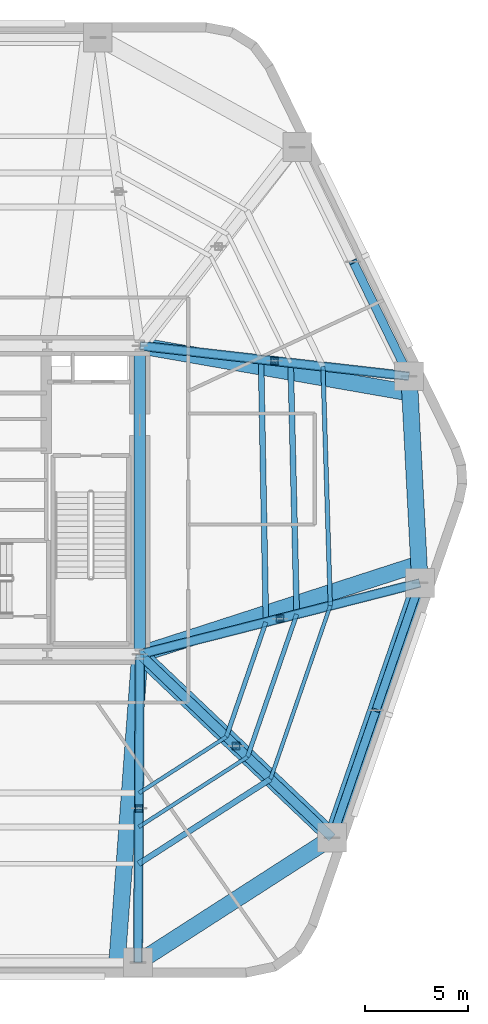
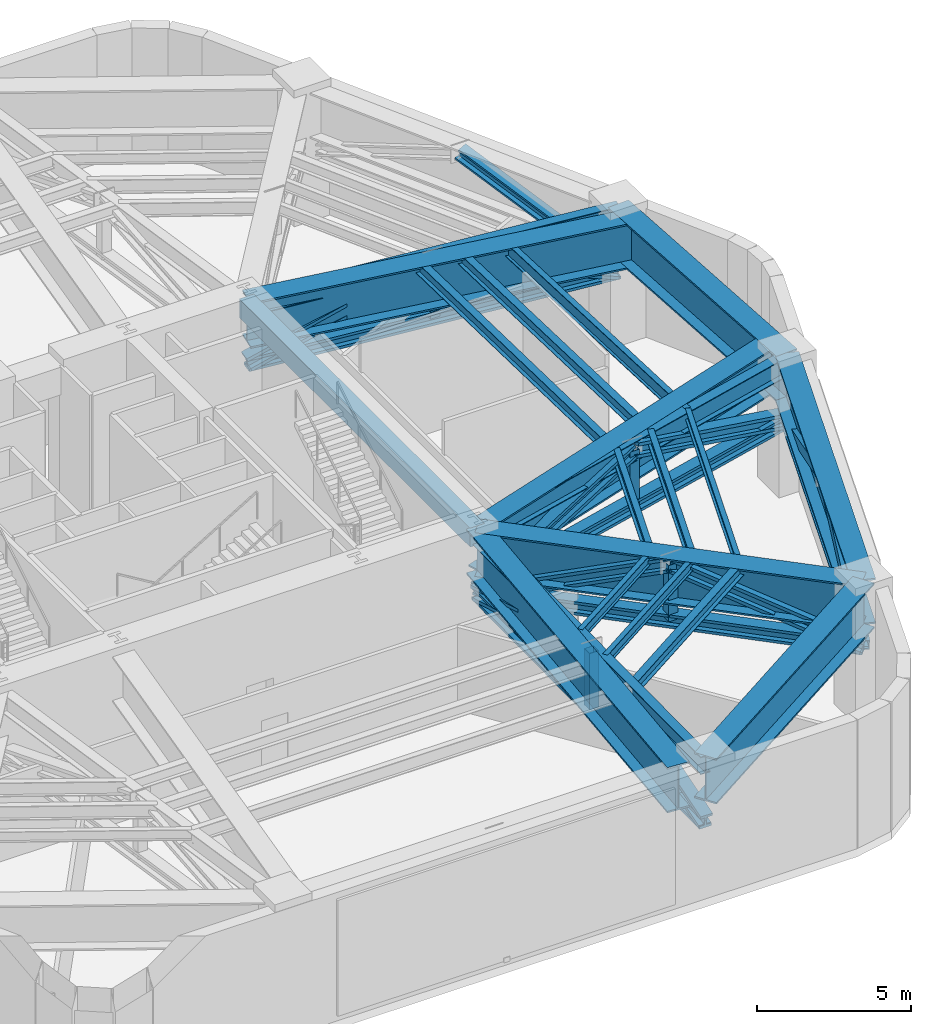
# One storey, part 3 of 11: 20 beams, 20 members.
"""IFC4 building model written with IfcOpenShell, lengths in metres."""

from ifc_helpers import new_model, si_unit, direction, frame, origin, origin_2d, place, context, subcontext, project, spatial, rectangle, hollow_rectangle, i_section, extrude, material, material_profile, profile_set, type_object, element, save


model = new_model("IFC4")

# Units and contexts
model_context = context("Model", 3, precision=1e-05, world=origin(), true_north=direction((0.0, 1.0)))
body_context = subcontext(model_context, "Body", "Model", "MODEL_VIEW")
ifc_project = project(units=[si_unit("LENGTHUNIT", "METRE"), si_unit("AREAUNIT", "SQUARE_METRE"), si_unit("VOLUMEUNIT", "CUBIC_METRE"), si_unit("PLANEANGLEUNIT", "RADIAN"), si_unit("MASSUNIT", "GRAM", prefix="KILO")], contexts=[model_context])

# Site, building, storey
site_placement = place(None, origin())
site = spatial("IfcSite", under=ifc_project, at=site_placement, CompositionType="ELEMENT")
building_placement = place(site_placement, origin())
building = spatial("IfcBuilding", under=site, at=building_placement, Name="Kilnhurst Terrace Hotel", CompositionType="ELEMENT")
storey_placement = place(building_placement, frame((0.0, 0.0, 86.0)))
storey = spatial("IfcBuildingStorey", under=building, at=storey_placement, Name="L20", CompositionType="ELEMENT", Elevation=86.0)

# Beams
ifc_material_1 = material(Name="Concrete C50/60", Category="concrete")
ifc_material_profile_1 = material_profile(ifc_material_1, rectangle(XDim=0.550048828125, YDim=0.75, at=origin_2d()), Name="RC550X750")
ifc_profile_set_1 = profile_set([ifc_material_profile_1], Name="Concrete C50/60")
beam_type_1 = type_object("IfcBeamType", Name="BM-SPN-550X750", PredefinedType="SPANDREL", material=ifc_profile_set_1)
beam_1_placement = place(storey_placement, frame((9.0, -7.5, 4.72509765625), z_axis=(0.0, 1.0, 0.0), x_axis=(-1.0, 0.0, 0.0)))
element("IfcBeam", 1, at=beam_1_placement, inside=storey, type_object=beam_type_1, Name="L20 Core Tie Beam CC-SE to CC-NE", PredefinedType="SPANDREL", context=body_context, shape_type="SweptSolid", body=[
    extrude(rectangle(XDim=0.550048828125, YDim=0.75, at=origin_2d()), origin(), (0.0, 0.0, 1.0), 15.0),
])
ifc_material_2 = material(Name="Steel ASTM A992 Grade 50", Category="steel")
ifc_material_profile_2 = material_profile(ifc_material_2, i_section(OverallWidth=0.354736328125, OverallDepth=0.695556640625, WebThickness=0.015380859375, FlangeThickness=0.025146484375, at=origin_2d()), Name="W27X146")
ifc_profile_set_2 = profile_set([ifc_material_profile_2], Name="Steel ASTM A992 Grade 50")
beam_type_2 = type_object("IfcBeamType", Name="BM-STL-W27X146", PredefinedType="BEAM", material=ifc_profile_set_2)
beam_2_placement = place(storey_placement, frame((9.0, -7.5, 4.751953125), z_axis=(-0.006339714179, -0.99997990381, 0.0), x_axis=(0.99997990381, -0.006339714179, 0.0)))
element("IfcBeam", 2, at=beam_2_placement, inside=storey, type_object=beam_type_2, Name="L20 Radial Floor Beam 2", PredefinedType="BEAM", context=body_context, shape_type="SweptSolid", body=[
    extrude(i_section(OverallWidth=0.354736328125, OverallDepth=0.695556640625, WebThickness=0.015380859375, FlangeThickness=0.025146484375, at=origin_2d()), origin(), (0.0, 0.0, 1.0), 14.980224609375),
])
beam_3_placement = place(storey_placement, frame((9.0, 7.5, 4.751953125), z_axis=(0.993611493249, -0.112854776075, 0.0), x_axis=(0.112854776075, 0.993611493249, 0.0)))
element("IfcBeam", 3, at=beam_3_placement, inside=storey, type_object=beam_type_2, Name="L20 Radial Floor Beam 5", PredefinedType="BEAM", context=body_context, shape_type="SweptSolid", body=[
    extrude(i_section(OverallWidth=0.354736328125, OverallDepth=0.695556640625, WebThickness=0.015380859375, FlangeThickness=0.025146484375, at=origin_2d()), origin(), (0.0, 0.0, 1.0), 13.168212890625),
])
ifc_material_profile_3 = material_profile(ifc_material_2, i_section(OverallWidth=0.380615234375, OverallDepth=0.773193359375, WebThickness=0.0166015625, FlangeThickness=0.027099609375, at=origin_2d()), Name="W30X173")
ifc_profile_set_3 = profile_set([ifc_material_profile_3], Name="Steel ASTM A992 Grade 50")
beam_type_3 = type_object("IfcBeamType", Name="BM-STL-W30X173", PredefinedType="BEAM", material=ifc_profile_set_3)
beam_4_placement = place(storey_placement, frame((9.0, -7.5, 4.712890625), z_axis=(0.968980179812, 0.247138445273, 0.0), x_axis=(-0.247138445273, 0.968980179812, 0.0)))
element("IfcBeam", 4, at=beam_4_placement, inside=storey, type_object=beam_type_3, Name="L20 Radial Floor Beam 4", PredefinedType="BEAM", context=body_context, shape_type="SweptSolid", body=[
    extrude(i_section(OverallWidth=0.380615234375, OverallDepth=0.773193359375, WebThickness=0.0166015625, FlangeThickness=0.027099609375, at=origin_2d()), origin(), (0.0, 0.0, 1.0), 14.04443359375),
])
ifc_material_profile_4 = material_profile(ifc_material_2, i_section(OverallWidth=0.180908203125, OverallDepth=0.417236328125, WebThickness=0.010986328125, FlangeThickness=0.018310546875, at=origin_2d()), Name="W16X57")
ifc_profile_set_4 = profile_set([ifc_material_profile_4], Name="Steel ASTM A992 Grade 50")
beam_type_4 = type_object("IfcBeamType", Name="JST-STL-W16X57", PredefinedType="JOIST", material=ifc_profile_set_4)
beam_5_placement = place(storey_placement, frame((15.349853515625, -13.5595703125, 4.89111328125), z_axis=(0.326078536201, 0.945342682961, 0.0), x_axis=(-0.945342682961, 0.326078536201, 0.0)))
element("IfcBeam", 5, at=beam_5_placement, inside=storey, type_object=beam_type_4, Name="L20 Secondary Floor Steel Joist OUT.3", PredefinedType="JOIST", context=body_context, shape_type="SweptSolid", body=[
    extrude(i_section(OverallWidth=0.180908203125, OverallDepth=0.417236328125, WebThickness=0.010986328125, FlangeThickness=0.018310546875, at=origin_2d()), origin(), (0.0, 0.0, 1.0), 8.90673828125),
])
beam_6_placement = place(storey_placement, frame((8.957275390625, -14.240966796875, 4.89111328125), z_axis=(0.840988265896, 0.541053358389, 0.0), x_axis=(-0.541053358389, 0.840988265896, 0.0)))
element("IfcBeam", 6, at=beam_6_placement, inside=storey, type_object=beam_type_4, Name="L20 Secondary Floor Steel Joist IN.2", PredefinedType="JOIST", context=body_context, shape_type="SweptSolid", body=[
    extrude(i_section(OverallWidth=0.180908203125, OverallDepth=0.417236328125, WebThickness=0.010986328125, FlangeThickness=0.018310546875, at=origin_2d()), origin(), (0.0, 0.0, 1.0), 5.04736328125),
])
beam_7_placement = place(storey_placement, frame((8.94677734375, -15.888916015625, 4.89111328125), z_axis=(0.840975098445, 0.541073824719, 0.0), x_axis=(-0.541073824719, 0.840975098445, 0.0)))
element("IfcBeam", 7, at=beam_7_placement, inside=storey, type_object=beam_type_4, Name="L20 Secondary Floor Steel Joist MID.2", PredefinedType="JOIST", context=body_context, shape_type="SweptSolid", body=[
    extrude(i_section(OverallWidth=0.180908203125, OverallDepth=0.417236328125, WebThickness=0.010986328125, FlangeThickness=0.018310546875, at=origin_2d()), origin(), (0.0, 0.0, 1.0), 6.28125),
])
ifc_material_profile_5 = material_profile(ifc_material_2, i_section(OverallWidth=0.279296875, OverallDepth=0.462890625, WebThickness=0.0107421875, FlangeThickness=0.017333984375, at=origin_2d()), Name="W18X76")
ifc_profile_set_5 = profile_set([ifc_material_profile_5], Name="Steel ASTM A992 Grade 50")
beam_type_5 = type_object("IfcBeamType", Name="JST-STL-W18X76", PredefinedType="JOIST", material=ifc_profile_set_5)
beam_8_placement = place(storey_placement, frame((8.935302734375, -17.686279296875, 4.867919921875), z_axis=(0.840995388529, 0.54104228714, 0.0), x_axis=(-0.54104228714, 0.840995388529, 0.0)))
element("IfcBeam", 8, at=beam_8_placement, inside=storey, type_object=beam_type_5, Name="L20 Secondary Floor Steel Joist OUT.2", PredefinedType="JOIST", context=body_context, shape_type="SweptSolid", body=[
    extrude(i_section(OverallWidth=0.279296875, OverallDepth=0.462890625, WebThickness=0.0107421875, FlangeThickness=0.017333984375, at=origin_2d()), origin(), (0.0, 0.0, 1.0), 7.62744140625),
])
beam_9_placement = place(storey_placement, frame((15.1240234375, -5.93798828125, 4.867919921875), z_axis=(-0.018504373716, 0.999828779418, 0.0), x_axis=(-0.999828779418, -0.018504373716, 0.0)))
element("IfcBeam", 9, at=beam_9_placement, inside=storey, type_object=beam_type_5, Name="L20 Secondary Floor Steel Joist IN.4", PredefinedType="JOIST", context=body_context, shape_type="SweptSolid", body=[
    extrude(i_section(OverallWidth=0.279296875, OverallDepth=0.462890625, WebThickness=0.0107421875, FlangeThickness=0.017333984375, at=origin_2d()), origin(), (0.0, 0.0, 1.0), 12.771484375),
])
beam_10_placement = place(storey_placement, frame((16.62109375, -5.55615234375, 4.867919921875), z_axis=(-0.024059820994, 0.999710520608, 0.0), x_axis=(-0.999710520608, -0.024059820994, 0.0)))
element("IfcBeam", 10, at=beam_10_placement, inside=storey, type_object=beam_type_5, Name="L20 Secondary Floor Steel Joist MID.4", PredefinedType="JOIST", context=body_context, shape_type="SweptSolid", body=[
    extrude(i_section(OverallWidth=0.279296875, OverallDepth=0.462890625, WebThickness=0.0107421875, FlangeThickness=0.017333984375, at=origin_2d()), origin(), (0.0, 0.0, 1.0), 12.227294921875),
])
ifc_material_profile_6 = material_profile(ifc_material_2, i_section(OverallWidth=0.2138671875, OverallDepth=0.549072265625, WebThickness=0.0146484375, FlangeThickness=0.023681640625, at=origin_2d()), Name="W21X93")
ifc_profile_set_6 = profile_set([ifc_material_profile_6], Name="Steel ASTM A992 Grade 50")
beam_type_6 = type_object("IfcBeamType", Name="JST-STL-W21X93", PredefinedType="JOIST", material=ifc_profile_set_6)
beam_11_placement = place(storey_placement, frame((18.254150390625, -5.1396484375, 4.824951171875), z_axis=(-0.030678559818, 0.999529302206, 0.0), x_axis=(-0.999529302206, -0.030678559818, 0.0)))
element("IfcBeam", 11, at=beam_11_placement, inside=storey, type_object=beam_type_6, Name="L20 Secondary Floor Steel Joist OUT.4", PredefinedType="JOIST", context=body_context, shape_type="SweptSolid", body=[
    extrude(i_section(OverallWidth=0.2138671875, OverallDepth=0.549072265625, WebThickness=0.0146484375, FlangeThickness=0.023681640625, at=origin_2d()), origin(), (0.0, 0.0, 1.0), 11.634521484375),
])
beam_12_placement = place(storey_placement, frame((13.2021484375, -11.510009765625, 4.824951171875), z_axis=(0.326064720391, 0.945347448358, 0.0), x_axis=(-0.945347448358, 0.326064720391, 0.0)))
element("IfcBeam", 12, at=beam_12_placement, inside=storey, type_object=beam_type_6, Name="L20 Secondary Floor Steel Joist IN.3", PredefinedType="JOIST", context=body_context, shape_type="SweptSolid", body=[
    extrude(i_section(OverallWidth=0.2138671875, OverallDepth=0.549072265625, WebThickness=0.0146484375, FlangeThickness=0.023681640625, at=origin_2d()), origin(), (0.0, 0.0, 1.0), 5.89404296875),
])
beam_13_placement = place(storey_placement, frame((14.229248046875, -12.490234375, 4.824951171875), z_axis=(0.326086077727, 0.945340081617, 0.0), x_axis=(-0.945340081617, 0.326086077727, 0.0)))
element("IfcBeam", 13, at=beam_13_placement, inside=storey, type_object=beam_type_6, Name="L20 Secondary Floor Steel Joist MID.3", PredefinedType="JOIST", context=body_context, shape_type="SweptSolid", body=[
    extrude(i_section(OverallWidth=0.2138671875, OverallDepth=0.549072265625, WebThickness=0.0146484375, FlangeThickness=0.023681640625, at=origin_2d()), origin(), (0.0, 0.0, 1.0), 7.3349609375),
])

# Members
ifc_material_profile_7 = material_profile(ifc_material_2, i_section(OverallWidth=0.41845703125, OverallDepth=0.455078125, WebThickness=0.0419921875, FlangeThickness=0.067626953125, at=origin_2d()), Name="W14X370")
ifc_profile_set_7 = profile_set([ifc_material_profile_7], Name="Steel ASTM A992 Grade 50")
member_type_1 = type_object("IfcMemberType", Name="MEM-BLT-DIAG-370", PredefinedType="BRACE", material=ifc_profile_set_7)
member_1_placement = place(storey_placement, frame((22.083984375, 6.013916015625, 2.52001953125), z_axis=(-0.412943121474, 0.845493720846, 0.338553314024), x_axis=(-0.898555956293, -0.438858967562, 0.0)))
element("IfcMember", 14, at=member_1_placement, inside=storey, type_object=member_type_1, Name="L20 Belt Truss Left Diagonal 3", PredefinedType="BRACE", context=body_context, shape_type="SweptSolid", body=[
    extrude(i_section(OverallWidth=0.41845703125, OverallDepth=0.455078125, WebThickness=0.0419921875, FlangeThickness=0.067626953125, at=origin_2d()), origin(), (0.0, 0.0, 1.0), 6.5869140625),
])
ifc_material_3 = material(Name="Steel ASTM A500 Grade C", Category="steel")
ifc_material_profile_8 = material_profile(ifc_material_3, hollow_rectangle(XDim=0.39990234375, YDim=0.39990234375, WallThickness=0.01611328125, at=origin_2d()), Name="HSS400X400X16")
ifc_profile_set_8 = profile_set([ifc_material_profile_8], Name="Steel ASTM A500 Grade C")
member_type_2 = type_object("IfcMemberType", Name="MEM-BLT-HSS-400", PredefinedType="BRACE", material=ifc_profile_set_8)
member_2_placement = place(storey_placement, frame((18.337890625, -16.410888671875, 2.52001953125), z_axis=(0.308776830074, 0.894852897944, 0.322327721816), x_axis=(-0.945305614718, 0.326185981891, 0.0)))
element("IfcMember", 15, at=member_2_placement, inside=storey, type_object=member_type_2, Name="L20 Belt Truss Left Diagonal 2", PredefinedType="BRACE", context=body_context, shape_type="SweptSolid", body=[
    extrude(hollow_rectangle(XDim=0.39990234375, YDim=0.39990234375, WallThickness=0.01611328125, at=origin_2d()), origin(), (0.0, 0.0, 1.0), 6.91845703125),
])
member_3_placement = place(storey_placement, frame((22.60888671875, -4.029052734375, 2.52001953125), z_axis=(-0.308585265865, -0.894911387443, 0.322348789846), x_axis=(0.94537456636, -0.325986087556, 0.0)))
element("IfcMember", 16, at=member_3_placement, inside=storey, type_object=member_type_2, Name="L20 Belt Truss Right Diagonal 2", PredefinedType="BRACE", context=body_context, shape_type="SweptSolid", body=[
    extrude(hollow_rectangle(XDim=0.39990234375, YDim=0.39990234375, WallThickness=0.01611328125, at=origin_2d()), origin(), (0.0, 0.0, 1.0), 6.91796875),
])
ifc_material_profile_9 = material_profile(ifc_material_2, i_section(OverallWidth=0.40625, OverallDepth=0.416015625, WebThickness=0.02978515625, FlangeThickness=0.048095703125, at=origin_2d()), Name="W14X257")
ifc_profile_set_9 = profile_set([ifc_material_profile_9], Name="Steel ASTM A992 Grade 50")
member_type_3 = type_object("IfcMemberType", Name="MEM-CHD-W14X257", PredefinedType="CHORD", material=ifc_profile_set_9)
member_4_placement = place(storey_placement, frame((18.337890625, -16.410888671875, 2.52001953125), z_axis=(0.326086040191, 0.945340094565, 0.0), x_axis=(-0.945340094565, 0.326086040191, 0.0)))
element("IfcMember", 17, at=member_4_placement, inside=storey, type_object=member_type_3, Name="L20 Belt Truss Bottom Chord 2", PredefinedType="CHORD", context=body_context, shape_type="SweptSolid", body=[
    extrude(i_section(OverallWidth=0.40625, OverallDepth=0.416015625, WebThickness=0.02978515625, FlangeThickness=0.048095703125, at=origin_2d()), origin(), (0.0, 0.0, 1.0), 13.09765625),
])
ifc_material_profile_10 = material_profile(ifc_material_2, i_section(OverallWidth=0.44189453125, OverallDepth=0.531494140625, WebThickness=0.06591796875, FlangeThickness=0.105712890625, at=origin_2d()), Name="W14X605")
ifc_profile_set_10 = profile_set([ifc_material_profile_10], Name="Steel ASTM A992 Grade 50")
member_type_4 = type_object("IfcMemberType", Name="MEM-CHD-W14X605", PredefinedType="CHORD", material=ifc_profile_set_10)
member_5_placement = place(storey_placement, frame((9.0, -7.5, 2.52001953125), z_axis=(-0.006339714179, -0.99997990381, 0.0), x_axis=(0.99997990381, -0.006339714179, 0.0)))
element("IfcMember", 18, at=member_5_placement, inside=storey, type_object=member_type_4, Name="L20 Outrigger Bottom Chord 2", PredefinedType="CHORD", context=body_context, shape_type="SweptSolid", body=[
    extrude(i_section(OverallWidth=0.44189453125, OverallDepth=0.531494140625, WebThickness=0.06591796875, FlangeThickness=0.105712890625, at=origin_2d()), origin(), (0.0, 0.0, 1.0), 14.980224609375),
])
member_6_placement = place(storey_placement, frame((9.0, -7.5, 2.52001953125), z_axis=(0.723454302813, -0.690372270403, 0.0), x_axis=(0.690372270403, 0.723454302813, 0.0)))
element("IfcMember", 19, at=member_6_placement, inside=storey, type_object=member_type_4, Name="L20 Outrigger Bottom Chord 3", PredefinedType="CHORD", context=body_context, shape_type="SweptSolid", body=[
    extrude(i_section(OverallWidth=0.44189453125, OverallDepth=0.531494140625, WebThickness=0.06591796875, FlangeThickness=0.105712890625, at=origin_2d()), origin(), (0.0, 0.0, 1.0), 12.907470703125),
])
member_7_placement = place(storey_placement, frame((9.0, -7.5, 2.52001953125), z_axis=(0.968980179812, 0.247138445273, 0.0), x_axis=(-0.247138445273, 0.968980179812, 0.0)))
element("IfcMember", 20, at=member_7_placement, inside=storey, type_object=member_type_4, Name="L20 Outrigger Bottom Chord 4", PredefinedType="CHORD", context=body_context, shape_type="SweptSolid", body=[
    extrude(i_section(OverallWidth=0.44189453125, OverallDepth=0.531494140625, WebThickness=0.06591796875, FlangeThickness=0.105712890625, at=origin_2d()), origin(), (0.0, 0.0, 1.0), 14.04443359375),
])
member_8_placement = place(storey_placement, frame((9.0, 7.5, 2.52001953125), z_axis=(0.993611493249, -0.112854776075, 0.0), x_axis=(0.112854776075, 0.993611493249, 0.0)))
element("IfcMember", 21, at=member_8_placement, inside=storey, type_object=member_type_4, Name="L20 Outrigger Bottom Chord 5", PredefinedType="CHORD", context=body_context, shape_type="SweptSolid", body=[
    extrude(i_section(OverallWidth=0.44189453125, OverallDepth=0.531494140625, WebThickness=0.06591796875, FlangeThickness=0.105712890625, at=origin_2d()), origin(), (0.0, 0.0, 1.0), 13.168212890625),
])
ifc_material_profile_11 = material_profile(ifc_material_2, i_section(OverallWidth=0.454345703125, OverallDepth=0.569091796875, WebThickness=0.077880859375, FlangeThickness=0.124755859375, at=origin_2d()), Name="W14X730")
ifc_profile_set_11 = profile_set([ifc_material_profile_11], Name="Steel ASTM A992 Grade 50")
member_type_5 = type_object("IfcMemberType", Name="MEM-OTR-DIAG-730", PredefinedType="BRACE", material=ifc_profile_set_11)
for number, where, z_axis, x_axis, name in (
    (22, (9.0, -7.5, 2.52001953125), (-0.006029283014, -0.958406080773, 0.285344409589), (0.999980212573, -0.006290823724, 0.0), "L20 Outrigger Inner Diagonal 2"),
    (23, (8.952880859375, -14.989990234375, 4.75), (-0.006122998952, -0.958405535007, -0.285344247099), (0.999979592657, -0.006388604588, 0.0), "L20 Outrigger Outer Diagonal 2"),
):
    element("IfcMember", number, at=place(storey_placement, frame(where, z_axis=z_axis, x_axis=x_axis)), inside=storey, type_object=member_type_5, Name=name, PredefinedType="BRACE", context=body_context, shape_type="SweptSolid", body=[
        extrude(i_section(OverallWidth=0.454345703125, OverallDepth=0.569091796875, WebThickness=0.077880859375, FlangeThickness=0.124755859375, at=origin_2d()), origin(), (0.0, 0.0, 1.0), 7.81494140625),
    ])
member_9_placement = place(storey_placement, frame((9.0, -7.5, 2.52001953125), z_axis=(0.683744834624, -0.652568015141, 0.326570033437), x_axis=(0.690421764346, 0.723407068888, 0.0)))
element("IfcMember", 24, at=member_9_placement, inside=storey, type_object=member_type_5, Name="L20 Outrigger Inner Diagonal 3", PredefinedType="BRACE", context=body_context, shape_type="SweptSolid", body=[
    extrude(i_section(OverallWidth=0.454345703125, OverallDepth=0.569091796875, WebThickness=0.077880859375, FlangeThickness=0.124755859375, at=origin_2d()), origin(), (0.0, 0.0, 1.0), 6.828369140625),
])
member_10_placement = place(storey_placement, frame((13.6689453125, -11.9560546875, 4.75), z_axis=(0.683824601333, -0.652465357693, -0.326608131592), x_axis=(0.690322766765, 0.723501539519, 0.0)))
element("IfcMember", 25, at=member_10_placement, inside=storey, type_object=member_type_5, Name="L20 Outrigger Outer Diagonal 3", PredefinedType="BRACE", context=body_context, shape_type="SweptSolid", body=[
    extrude(i_section(OverallWidth=0.454345703125, OverallDepth=0.569091796875, WebThickness=0.077880859375, FlangeThickness=0.124755859375, at=origin_2d()), origin(), (0.0, 0.0, 1.0), 6.82763671875),
])
member_11_placement = place(storey_placement, frame((9.0, -7.5, 2.52001953125), z_axis=(0.923524171948, 0.235610820031, 0.302639464233), x_axis=(-0.247203395557, 0.96896361192, 0.0)))
element("IfcMember", 26, at=member_11_placement, inside=storey, type_object=member_type_5, Name="L20 Outrigger Inner Diagonal 4", PredefinedType="BRACE", context=body_context, shape_type="SweptSolid", body=[
    extrude(i_section(OverallWidth=0.454345703125, OverallDepth=0.569091796875, WebThickness=0.077880859375, FlangeThickness=0.124755859375, at=origin_2d()), origin(), (0.0, 0.0, 1.0), 7.368408203125),
])
member_12_placement = place(storey_placement, frame((15.804931640625, -5.763916015625, 4.75), z_axis=(0.923540717569, 0.23548316549, -0.302688324456), x_axis=(-0.247073482334, 0.968996746294, 0.0)))
element("IfcMember", 27, at=member_12_placement, inside=storey, type_object=member_type_5, Name="L20 Outrigger Outer Diagonal 4", PredefinedType="BRACE", context=body_context, shape_type="SweptSolid", body=[
    extrude(i_section(OverallWidth=0.454345703125, OverallDepth=0.569091796875, WebThickness=0.077880859375, FlangeThickness=0.124755859375, at=origin_2d()), origin(), (0.0, 0.0, 1.0), 7.3671875),
])
for number, where, z_axis, x_axis, name in (
    (28, (9.0, 7.5, 2.52001953125), (0.94109995383, -0.106872934748, 0.320794408803), (0.112836471855, 0.993613572079, 0.0), "L20 Outrigger Inner Diagonal 5"),
    (29, (15.5419921875, 6.757080078125, 4.75), (0.941096420875, -0.106907654319, -0.320793204518), (0.11287308018, 0.993609414091, 0.0), "L20 Outrigger Outer Diagonal 5"),
):
    element("IfcMember", number, at=place(storey_placement, frame(where, z_axis=z_axis, x_axis=x_axis)), inside=storey, type_object=member_type_5, Name=name, PredefinedType="BRACE", context=body_context, shape_type="SweptSolid", body=[
        extrude(i_section(OverallWidth=0.454345703125, OverallDepth=0.569091796875, WebThickness=0.077880859375, FlangeThickness=0.124755859375, at=origin_2d()), origin(), (0.0, 0.0, 1.0), 6.951416015625),
    ])
ifc_material_profile_12 = material_profile(ifc_material_3, hollow_rectangle(XDim=0.35009765625, YDim=0.35009765625, WallThickness=0.01611328125, at=origin_2d()), Name="HSS350X350X16")
ifc_profile_set_12 = profile_set([ifc_material_profile_12], Name="Steel ASTM A500 Grade C")
member_type_6 = type_object("IfcMemberType", Name="MEM-STR-HSS350", PredefinedType="STRUT", material=ifc_profile_set_12)
for number, where, z_axis, x_axis, name in (
    (30, (8.952880859375, -14.989990234375, 2.52001953125), (0.0, 0.0, 1.0), (1.0, 0.0, 0.0), "L20 Outrigger Web Post 2"),
    (31, (13.6689453125, -11.9560546875, 2.52001953125), (0.0, 0.0, 1.0), (1.0, 0.0, 0.0), "L20 Outrigger Web Post 3"),
    (32, (15.804931640625, -5.763916015625, 2.52001953125), (0.0, 0.0, 1.0), (1.0, 0.0, 0.0), "L20 Outrigger Web Post 4"),
    (33, (15.5419921875, 6.757080078125, 2.52001953125), (0.0, 0.0, 1.0), (1.0, 0.0, 0.0), "L20 Outrigger Web Post 5"),
):
    element("IfcMember", number, at=place(storey_placement, frame(where, z_axis=z_axis, x_axis=x_axis)), inside=storey, type_object=member_type_6, Name=name, PredefinedType="STRUT", context=body_context, shape_type="SweptSolid", body=[
        extrude(hollow_rectangle(XDim=0.35009765625, YDim=0.35009765625, WallThickness=0.01611328125, at=origin_2d()), origin(), (0.0, 0.0, 1.0), 2.22998046875),
    ])

# Beams
ifc_material_4 = material(Name="Steel ASTM A572 Grade 50", Category="steel")
ifc_material_profile_13 = material_profile(ifc_material_4, i_section(OverallWidth=0.800048828125, OverallDepth=1.800048828125, WebThickness=0.0400390625, FlangeThickness=0.06494140625, at=origin_2d()), Name="PG1800X800")
ifc_profile_set_13 = profile_set([ifc_material_profile_13], Name="Steel ASTM A572 Grade 50")
beam_type_7 = type_object("IfcBeamType", Name="TG-STEP-1800", PredefinedType="USERDEFINED", material=ifc_profile_set_13)
beam_14_placement = place(storey_placement, frame((8.905029296875, -22.47998046875, 4.199951171875), z_axis=(0.840971204873, 0.541079876335, 0.0), x_axis=(-0.541079876335, 0.840971204873, 0.0)))
element("IfcBeam", 34, at=beam_14_placement, inside=storey, type_object=beam_type_7, Name="L20 Zone Step Perimeter Transfer Girder 2", ObjectType="GIRDER", PredefinedType="USERDEFINED", context=body_context, shape_type="SweptSolid", body=[
    extrude(i_section(OverallWidth=0.800048828125, OverallDepth=1.800048828125, WebThickness=0.0400390625, FlangeThickness=0.06494140625, at=origin_2d()), origin(), (0.0, 0.0, 1.0), 11.216552734375),
])
beam_15_placement = place(storey_placement, frame((18.337890625, -16.410888671875, 4.199951171875), z_axis=(0.326086040191, 0.945340094565, 0.0), x_axis=(-0.945340094565, 0.326086040191, 0.0)))
element("IfcBeam", 35, at=beam_15_placement, inside=storey, type_object=beam_type_7, Name="L20 Zone Step Perimeter Transfer Girder 3", ObjectType="GIRDER", PredefinedType="USERDEFINED", context=body_context, shape_type="SweptSolid", body=[
    extrude(i_section(OverallWidth=0.800048828125, OverallDepth=1.800048828125, WebThickness=0.0400390625, FlangeThickness=0.06494140625, at=origin_2d()), origin(), (0.0, 0.0, 1.0), 13.09765625),
])
beam_16_placement = place(storey_placement, frame((22.60888671875, -4.029052734375, 4.199951171875), z_axis=(-0.052194414298, 0.998636942595, 0.0), x_axis=(-0.998636942595, -0.052194414298, 0.0)))
element("IfcBeam", 36, at=beam_16_placement, inside=storey, type_object=beam_type_7, Name="L20 Zone Step Perimeter Transfer Girder 4", ObjectType="GIRDER", PredefinedType="USERDEFINED", context=body_context, shape_type="SweptSolid", body=[
    extrude(i_section(OverallWidth=0.800048828125, OverallDepth=1.800048828125, WebThickness=0.0400390625, FlangeThickness=0.06494140625, at=origin_2d()), origin(), (0.0, 0.0, 1.0), 10.056640625),
])
beam_17_placement = place(storey_placement, frame((9.0, -7.5, 4.199951171875), z_axis=(-0.074113548841, -0.997249809164, 0.0), x_axis=(0.997249809164, -0.074113548841, 0.0)))
element("IfcBeam", 37, at=beam_17_placement, inside=storey, type_object=beam_type_7, Name="L20 Zone Step Radial Transfer Girder 2", ObjectType="GIRDER", PredefinedType="USERDEFINED", context=body_context, shape_type="SweptSolid", body=[
    extrude(i_section(OverallWidth=0.800048828125, OverallDepth=1.800048828125, WebThickness=0.0400390625, FlangeThickness=0.06494140625, at=origin_2d()), origin(), (0.0, 0.0, 1.0), 15.021240234375),
])
beam_18_placement = place(storey_placement, frame((9.0, -7.5, 4.199951171875), z_axis=(0.724956888216, -0.688794243753, 0.0), x_axis=(0.688794243753, 0.724956888216, 0.0)))
element("IfcBeam", 38, at=beam_18_placement, inside=storey, type_object=beam_type_7, Name="L20 Zone Step Radial Transfer Girder 3", ObjectType="GIRDER", PredefinedType="USERDEFINED", context=body_context, shape_type="SweptSolid", body=[
    extrude(i_section(OverallWidth=0.800048828125, OverallDepth=1.800048828125, WebThickness=0.0400390625, FlangeThickness=0.06494140625, at=origin_2d()), origin(), (0.0, 0.0, 1.0), 12.894775390625),
])
beam_19_placement = place(storey_placement, frame((9.0, -7.5, 4.199951171875), z_axis=(0.951448354736, 0.307808427873, 0.0), x_axis=(-0.307808427873, 0.951448354736, 0.0)))
element("IfcBeam", 39, at=beam_19_placement, inside=storey, type_object=beam_type_7, Name="L20 Zone Step Radial Transfer Girder 4", ObjectType="GIRDER", PredefinedType="USERDEFINED", context=body_context, shape_type="SweptSolid", body=[
    extrude(i_section(OverallWidth=0.800048828125, OverallDepth=1.800048828125, WebThickness=0.0400390625, FlangeThickness=0.06494140625, at=origin_2d()), origin(), (0.0, 0.0, 1.0), 14.2529296875),
])
beam_20_placement = place(storey_placement, frame((9.0, 7.5, 4.199951171875), z_axis=(0.985070495152, -0.172151443736, 0.0), x_axis=(0.172151443736, 0.985070495152, 0.0)))
element("IfcBeam", 40, at=beam_20_placement, inside=storey, type_object=beam_type_7, Name="L20 Zone Step Radial Transfer Girder 5", ObjectType="GIRDER", PredefinedType="USERDEFINED", context=body_context, shape_type="SweptSolid", body=[
    extrude(i_section(OverallWidth=0.800048828125, OverallDepth=1.800048828125, WebThickness=0.0400390625, FlangeThickness=0.06494140625, at=origin_2d()), origin(), (0.0, 0.0, 1.0), 13.3251953125),
])

save(model, "model.ifc")
